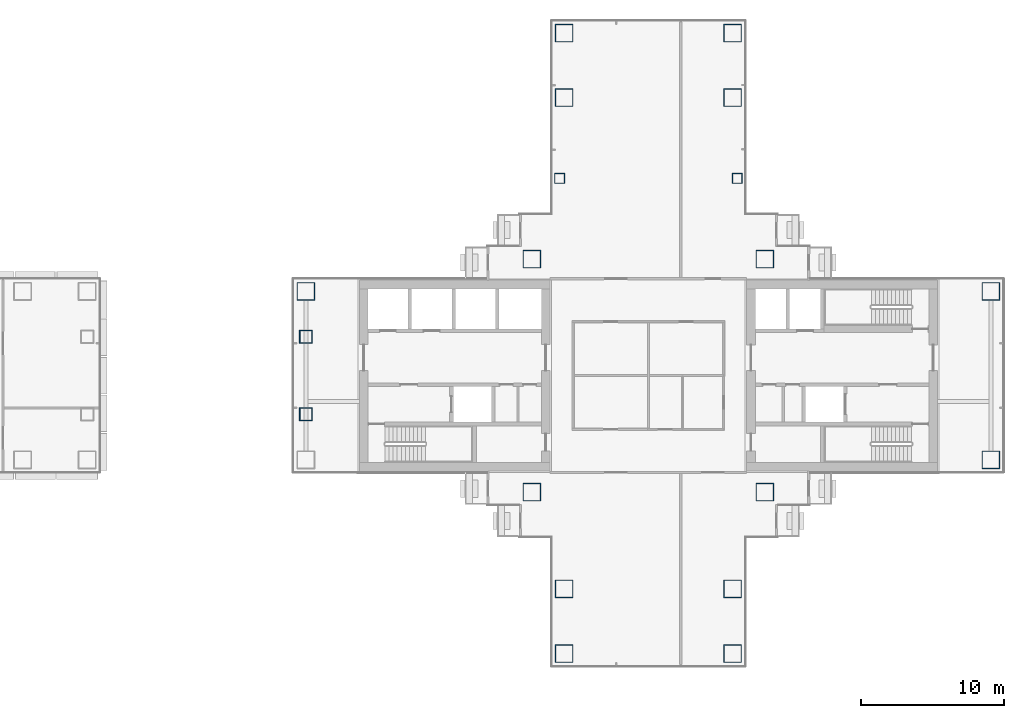
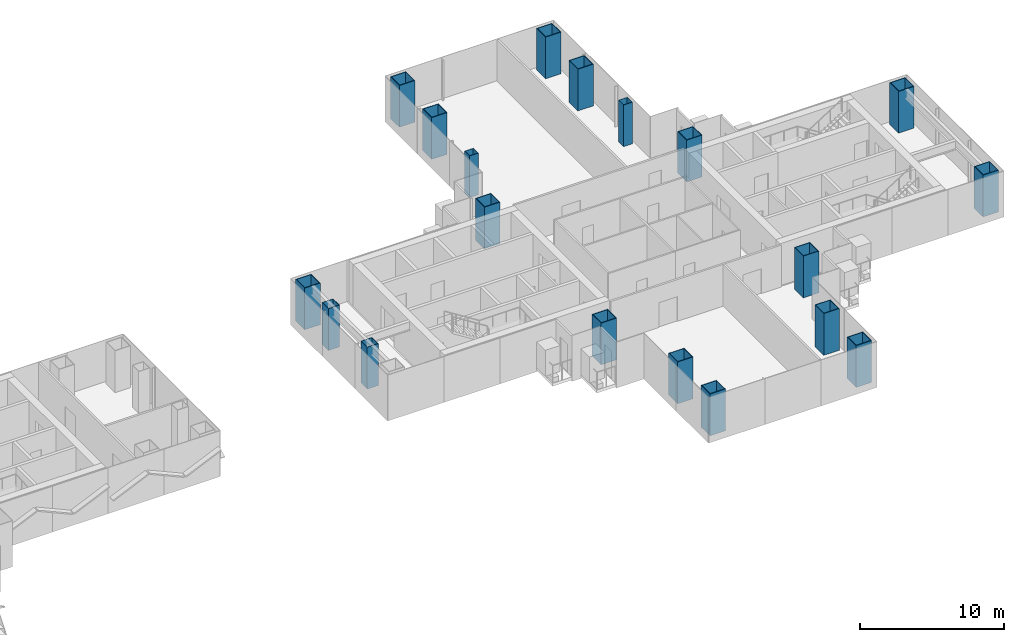
# One storey, part 2 of 19: 19 columns.
"""IFC4 building model written with IfcOpenShell, lengths in metres."""

from ifc_helpers import new_model, si_unit, direction, frame, origin, origin_2d, place, context, subcontext, project, spatial, hollow_rectangle, extrude, material, material_profile, profile_set, type_object, element, save


model = new_model("IFC4")

# Units and contexts
model_context = context("Model", 3, precision=1e-05, world=origin(), true_north=direction((0.0, 1.0)))
body_context = subcontext(model_context, "Body", "Model", "MODEL_VIEW")
ifc_project = project(units=[si_unit("LENGTHUNIT", "METRE"), si_unit("AREAUNIT", "SQUARE_METRE"), si_unit("VOLUMEUNIT", "CUBIC_METRE"), si_unit("PLANEANGLEUNIT", "RADIAN"), si_unit("MASSUNIT", "GRAM", prefix="KILO")], contexts=[model_context])

# Site, building, storey
site_placement = place(None, origin())
site = spatial("IfcSite", under=ifc_project, at=site_placement, CompositionType="ELEMENT")
building_placement = place(site_placement, origin())
building = spatial("IfcBuilding", under=site, at=building_placement, Name="Shamsa Quay Exchange Towers", CompositionType="ELEMENT")
storey_placement = place(building_placement, frame((0.0, 0.0, 93.60009765625)))
storey = spatial("IfcBuildingStorey", under=building, at=storey_placement, Name="L21", CompositionType="ELEMENT", Elevation=93.60009765625)

# Columns
ifc_material_1 = material(Name="Concrete-filled steel tube S355 / C80/95", Category="concrete")
ifc_material_profile_1 = material_profile(ifc_material_1, hollow_rectangle(XDim=1.25, YDim=1.25, WallThickness=0.050048828125, at=origin_2d()), Name="CFT 1250x1250x50")
ifc_profile_set_1 = profile_set([ifc_material_profile_1], Name="Concrete-filled steel tube S355 / C80/95")
column_type_1 = type_object("IfcColumnType", Name="Column CFT 1250x1250x50", PredefinedType="COLUMN", material=ifc_profile_set_1)
for number, where, name in (
    (1, (25.625, 8.125, 0.0), "Mega column T2-CM01"),
    (2, (41.875, 8.125, 0.0), "Mega column T2-CM02"),
    (3, (25.625, -8.125, 0.0), "Mega column T2-CM03"),
    (4, (41.875, -8.125, 0.0), "Mega column T2-CM04"),
    (5, (39.625, 19.375, 0.0), "Mega column T2-CM06"),
    (6, (39.625, 23.875, 0.0), "Mega column T2-CM07"),
    (7, (27.875, 19.375, 0.0), "Mega column T2-CM10"),
    (8, (27.875, 23.875, 0.0), "Mega column T2-CM11"),
    (9, (39.625, -14.875, 0.0), "Mega column T2-CM13"),
    (10, (39.625, -19.375, 0.0), "Mega column T2-CM14"),
    (11, (27.875, -14.875, 0.0), "Mega column T2-CM16"),
    (12, (27.875, -19.375, 0.0), "Mega column T2-CM17"),
    (13, (9.875, 5.875, 0.0), "Mega column T2-CM20"),
    (14, (57.625, -5.875, 0.0), "Mega column T2-CM21"),
    (15, (57.625, 5.875, 0.0), "Mega column T2-CM23"),
):
    element("IfcColumn", number, at=place(storey_placement, frame(where)), inside=storey, type_object=column_type_1, Name=name, PredefinedType="COLUMN", context=body_context, shape_type="SweptSolid", body=[
        extrude(hollow_rectangle(XDim=1.25, YDim=1.25, WallThickness=0.050048828125, at=origin_2d()), origin(), (0.0, 0.0, 1.0), 3.5498046875),
    ])
ifc_material_2 = material(Name="Concrete-filled steel tube S355 / C60/75", Category="concrete")
ifc_material_profile_2 = material_profile(ifc_material_2, hollow_rectangle(XDim=0.699951171875, YDim=0.699951171875, WallThickness=0.02490234375, at=origin_2d()), Name="CFT 700x700x25")
ifc_profile_set_2 = profile_set([ifc_material_profile_2], Name="Concrete-filled steel tube S355 / C60/75")
column_type_2 = type_object("IfcColumnType", Name="Column CFT 700x700x25", PredefinedType="COLUMN", material=ifc_profile_set_2)
for number, where, name in (
    (16, (39.9375, 13.75, 0.0), "Perimeter column T2-CP05"),
    (17, (27.5625, 13.75, 0.0), "Perimeter column T2-CP09"),
):
    element("IfcColumn", number, at=place(storey_placement, frame(where)), inside=storey, type_object=column_type_2, Name=name, PredefinedType="COLUMN", context=body_context, shape_type="SweptSolid", body=[
        extrude(hollow_rectangle(XDim=0.699951171875, YDim=0.699951171875, WallThickness=0.02490234375, at=origin_2d()), origin(), (0.0, 0.0, 1.0), 3.5498046875),
    ])
ifc_material_3 = material(Name="Concrete-filled steel tube S355 / C70/85", Category="concrete")
ifc_material_profile_3 = material_profile(ifc_material_3, hollow_rectangle(XDim=0.89990234375, YDim=0.89990234375, WallThickness=0.035888671875, at=origin_2d()), Name="CFT 900x900x36")
ifc_profile_set_3 = profile_set([ifc_material_profile_3], Name="Concrete-filled steel tube S355 / C70/85")
column_type_3 = type_object("IfcColumnType", Name="Landing column CFT 900x900x36", PredefinedType="COLUMN", material=ifc_profile_set_3)
for number, where, name in (
    (18, (9.875, -2.699951171875, 0.0), "Landing column T2 S"),
    (19, (9.875, 2.699951171875, 0.0), "Landing column T2 N"),
):
    element("IfcColumn", number, at=place(storey_placement, frame(where)), inside=storey, type_object=column_type_3, Name=name, PredefinedType="COLUMN", context=body_context, shape_type="SweptSolid", body=[
        extrude(hollow_rectangle(XDim=0.89990234375, YDim=0.89990234375, WallThickness=0.035888671875, at=origin_2d()), origin(), (0.0, 0.0, 1.0), 3.5498046875),
    ])

save(model, "model.ifc")
